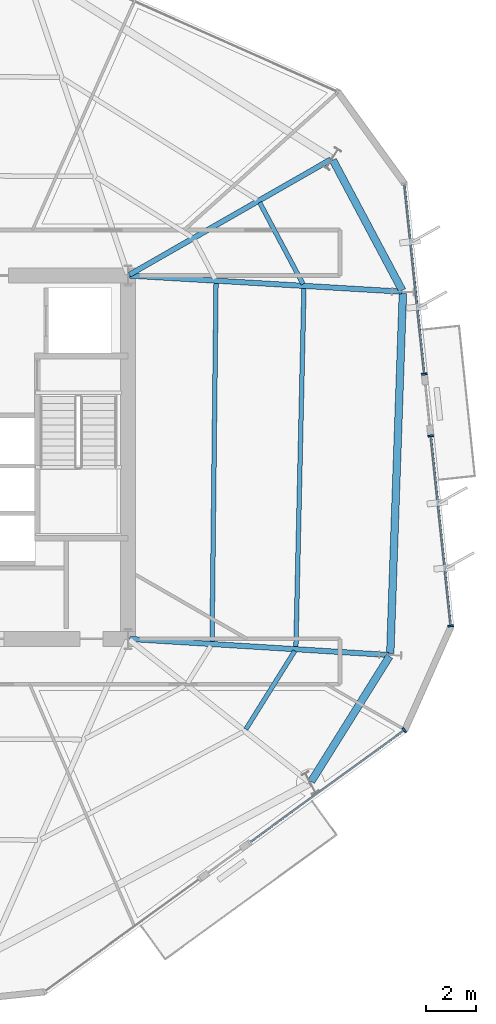
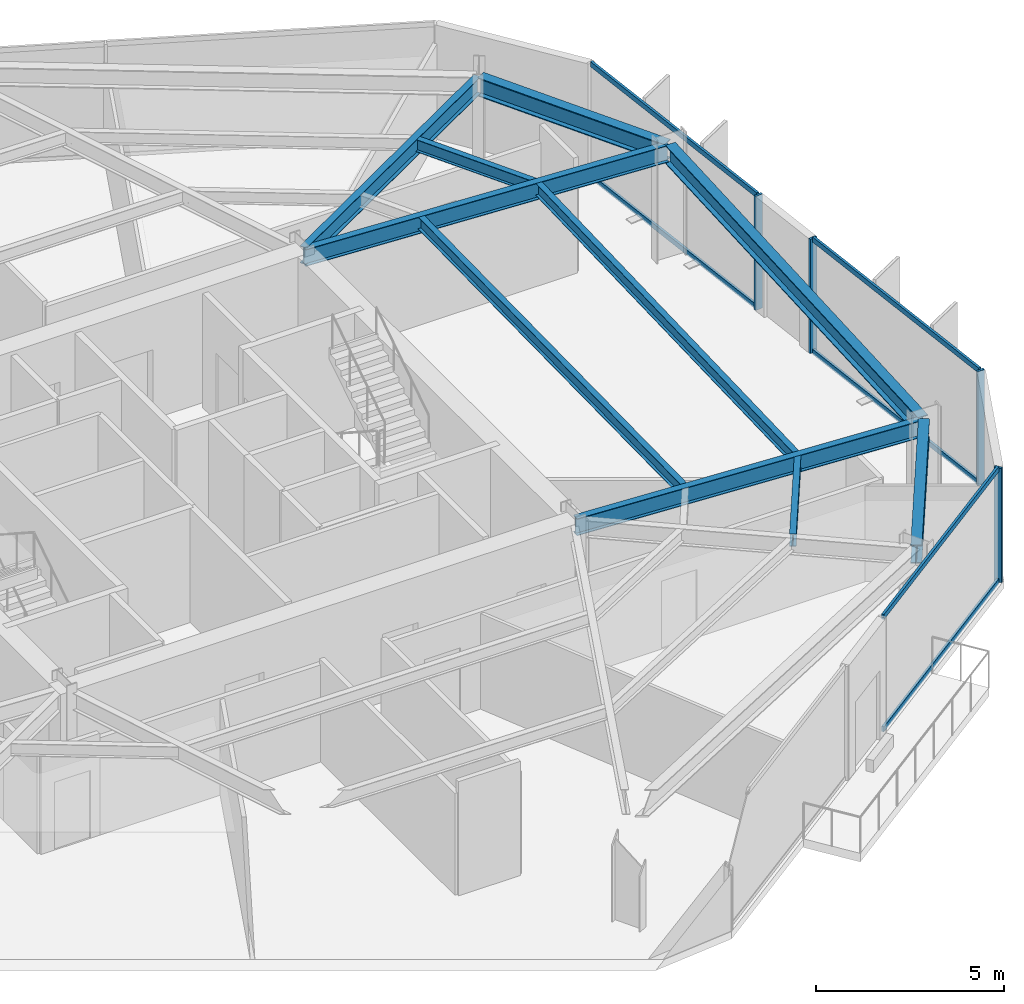
# One storey, part 4 of 12: 10 beams, 10 members, 3 elements without a shape of their own.
"""IFC4 building model written with IfcOpenShell, lengths in metres."""

from ifc_helpers import new_model, si_unit, direction, frame, origin, origin_2d, place, context, subcontext, project, spatial, rectangle, i_section, extrude, material, layer, layer_set, material_profile, profile_set, type_object, element, aggregate, save


model = new_model("IFC4")

# Units and contexts
model_context = context("Model", 3, precision=1e-05, world=origin(), true_north=direction((0.0, 1.0)))
body_context = subcontext(model_context, "Body", "Model", "MODEL_VIEW")
ifc_project = project(units=[si_unit("LENGTHUNIT", "METRE"), si_unit("AREAUNIT", "SQUARE_METRE"), si_unit("VOLUMEUNIT", "CUBIC_METRE"), si_unit("PLANEANGLEUNIT", "RADIAN"), si_unit("MASSUNIT", "GRAM", prefix="KILO")], contexts=[model_context])

# Site, building, storey
site_placement = place(None, origin())
site = spatial("IfcSite", under=ifc_project, at=site_placement, CompositionType="ELEMENT")
building_placement = place(site_placement, origin())
building = spatial("IfcBuilding", under=site, at=building_placement, Name="Kranzbogen Civic Tower", CompositionType="ELEMENT")
storey_placement = place(building_placement, frame((0.0, 0.0, 166.39990234375)))
storey = spatial("IfcBuildingStorey", under=building, at=storey_placement, Name="L40", CompositionType="ELEMENT", Elevation=166.39990234375)

# Curtain wall, member
ifc_material_1 = material(Name="Pale Anodised Aluminium", Category="aluminium")
ifc_layer = layer(ifc_material_1, 0.219970703125, Name="Pale Anodised Aluminium")
ifc_layer_set = layer_set([ifc_layer], Name="Pale Anodised Aluminium")
curtain_wall_type = type_object("IfcCurtainWallType", Name="Zone 2 Stick Curtain Wall System CW-03", PredefinedType="USERDEFINED", material=ifc_layer_set)
curtain_wall_1_placement = place(storey_placement, origin())
curtain_wall_1 = element("IfcCurtainWall", 1, at=curtain_wall_1_placement, inside=storey, type_object=curtain_wall_type, Name="L40 curtain wall CW-L40-F5-S2", ObjectType="STICK CURTAIN WALL", PredefinedType="USERDEFINED")
ifc_material_profile_1 = material_profile(ifc_material_1, rectangle(XDim=0.074951171875, YDim=0.219970703125, at=origin_2d()), Name="ALU-M 75x220")
ifc_profile_set_1 = profile_set([ifc_material_profile_1], Name="Pale Anodised Aluminium")
member_type_1 = type_object("IfcMemberType", Name="Curtain Wall Mullion ALU-M 75x220", PredefinedType="MULLION", material=ifc_profile_set_1)
member_1_placement = place(storey_placement, frame((43.74462890625, 14.179443359375, 0.0), z_axis=(0.0, 0.0, 1.0), x_axis=(0.808962592733, 0.587860122443, 0.0)))
member_1 = element("IfcMember", 2, at=member_1_placement, type_object=member_type_1, Name="CW-03 mullion 2", PredefinedType="MULLION", context=body_context, shape_type="SweptSolid", body=[
    extrude(rectangle(XDim=0.074951171875, YDim=0.219970703125, at=origin_2d()), origin(), (0.0, 0.0, 1.0), 3.7001953125),
])

# Curtain wall, members
curtain_wall_2_placement = place(storey_placement, origin())
curtain_wall_2 = element("IfcCurtainWall", 3, at=curtain_wall_2_placement, inside=storey, type_object=curtain_wall_type, Name="L40 curtain wall CW-L40-F6-S1", ObjectType="STICK CURTAIN WALL", PredefinedType="USERDEFINED")
member_2_placement = place(storey_placement, frame((45.583984375, 18.310791015625, 0.0), z_axis=(0.0, 0.0, 1.0), x_axis=(-0.104521149206, 0.99452266408, 0.0)))
member_2 = element("IfcMember", 4, at=member_2_placement, type_object=member_type_1, Name="CW-03 mullion 1", PredefinedType="MULLION", context=body_context, shape_type="SweptSolid", body=[
    extrude(rectangle(XDim=0.074951171875, YDim=0.219970703125, at=origin_2d()), origin(), (0.0, 0.0, 1.0), 3.7001953125),
])
member_3_placement = place(storey_placement, frame((44.792236328125, 25.84423828125, 0.0), z_axis=(0.0, 0.0, 1.0), x_axis=(-0.104521149206, 0.99452266408, 0.0)))
member_3 = element("IfcMember", 5, at=member_3_placement, type_object=member_type_1, Name="CW-03 mullion 2", PredefinedType="MULLION", context=body_context, shape_type="SweptSolid", body=[
    extrude(rectangle(XDim=0.074951171875, YDim=0.219970703125, at=origin_2d()), origin(), (0.0, 0.0, 1.0), 3.7001953125),
])

# Curtain wall, member
curtain_wall_3_placement = place(storey_placement, origin())
curtain_wall_3 = element("IfcCurtainWall", 6, at=curtain_wall_3_placement, inside=storey, type_object=curtain_wall_type, Name="L40 curtain wall CW-L40-F6-S2", ObjectType="STICK CURTAIN WALL", PredefinedType="USERDEFINED")
member_4_placement = place(storey_placement, frame((44.535888671875, 28.290771484375, 0.0), z_axis=(0.0, 0.0, 1.0), x_axis=(-0.104534766048, 0.994521232899, 0.0)))
member_4 = element("IfcMember", 7, at=member_4_placement, type_object=member_type_1, Name="CW-03 mullion 1", PredefinedType="MULLION", context=body_context, shape_type="SweptSolid", body=[
    extrude(rectangle(XDim=0.074951171875, YDim=0.219970703125, at=origin_2d()), origin(), (0.0, 0.0, 1.0), 3.7001953125),
])

# Member
ifc_material_profile_2 = material_profile(ifc_material_1, rectangle(XDim=0.074951171875, YDim=0.1650390625, at=origin_2d()), Name="ALU-T 75x165")
ifc_profile_set_2 = profile_set([ifc_material_profile_2], Name="Pale Anodised Aluminium")
member_type_2 = type_object("IfcMemberType", Name="Curtain Wall Transom ALU-T 75x165", PredefinedType="USERDEFINED", material=ifc_profile_set_2)
member_5_placement = place(storey_placement, frame((37.6416015625, 9.744384765625, 0.030029296875), z_axis=(0.808973460289, 0.587845167156, 0.0), x_axis=(-0.587845167156, 0.808973460289, 0.0)))
member_5 = element("IfcMember", 8, at=member_5_placement, type_object=member_type_2, Name="CW-03 transom 1.1", ObjectType="TRANSOM", PredefinedType="USERDEFINED", context=body_context, shape_type="SweptSolid", body=[
    extrude(rectangle(XDim=0.074951171875, YDim=0.1650390625, at=origin_2d()), origin(), (0.0, 0.0, 1.0), 7.514404296875),
])

member_6_placement = place(storey_placement, frame((37.6416015625, 9.744384765625, 3.670166015625), z_axis=(0.808973460289, 0.587845167156, 0.0), x_axis=(-0.587845167156, 0.808973460289, 0.0)))
member_6 = element("IfcMember", 9, at=member_6_placement, type_object=member_type_2, Name="CW-03 transom 1.2", ObjectType="TRANSOM", PredefinedType="USERDEFINED", context=body_context, shape_type="SweptSolid", body=[
    extrude(rectangle(XDim=0.074951171875, YDim=0.1650390625, at=origin_2d()), origin(), (0.0, 0.0, 1.0), 7.514404296875),
])

aggregate(curtain_wall_1, [member_1, member_5, member_6])

member_7_placement = place(storey_placement, frame((45.580810546875, 18.340576171875, 0.030029296875), z_axis=(-0.10454610906, 0.994520040563, 0.0), x_axis=(-0.994520040563, -0.10454610906, 0.0)))
member_7 = element("IfcMember", 10, at=member_7_placement, type_object=member_type_2, Name="CW-03 transom 1.1", ObjectType="TRANSOM", PredefinedType="USERDEFINED", context=body_context, shape_type="SweptSolid", body=[
    extrude(rectangle(XDim=0.074951171875, YDim=0.1650390625, at=origin_2d()), origin(), (0.0, 0.0, 1.0), 7.514892578125),
])

member_8_placement = place(storey_placement, frame((45.580810546875, 18.340576171875, 3.670166015625), z_axis=(-0.10454610906, 0.994520040563, 0.0), x_axis=(-0.994520040563, -0.10454610906, 0.0)))
member_8 = element("IfcMember", 11, at=member_8_placement, type_object=member_type_2, Name="CW-03 transom 1.2", ObjectType="TRANSOM", PredefinedType="USERDEFINED", context=body_context, shape_type="SweptSolid", body=[
    extrude(rectangle(XDim=0.074951171875, YDim=0.1650390625, at=origin_2d()), origin(), (0.0, 0.0, 1.0), 7.514892578125),
])

aggregate(curtain_wall_2, [member_2, member_3, member_7, member_8])

member_9_placement = place(storey_placement, frame((44.53271484375, 28.320556640625, 0.030029296875), z_axis=(-0.104527485236, 0.994521998163, 0.0), x_axis=(-0.994521998163, -0.104527485236, 0.0)))
member_9 = element("IfcMember", 12, at=member_9_placement, type_object=member_type_2, Name="CW-03 transom 1.1", ObjectType="TRANSOM", PredefinedType="USERDEFINED", context=body_context, shape_type="SweptSolid", body=[
    extrude(rectangle(XDim=0.074951171875, YDim=0.1650390625, at=origin_2d()), origin(), (0.0, 0.0, 1.0), 7.513916015625),
])

member_10_placement = place(storey_placement, frame((44.53271484375, 28.320556640625, 3.670166015625), z_axis=(-0.104527485236, 0.994521998163, 0.0), x_axis=(-0.994521998163, -0.104527485236, 0.0)))
member_10 = element("IfcMember", 13, at=member_10_placement, type_object=member_type_2, Name="CW-03 transom 1.2", ObjectType="TRANSOM", PredefinedType="USERDEFINED", context=body_context, shape_type="SweptSolid", body=[
    extrude(rectangle(XDim=0.074951171875, YDim=0.1650390625, at=origin_2d()), origin(), (0.0, 0.0, 1.0), 7.513916015625),
])

aggregate(curtain_wall_3, [member_4, member_9, member_10])

# Beams
ifc_material_2 = material(Name="Steel S355", Category="steel")
ifc_material_profile_3 = material_profile(ifc_material_2, i_section(OverallWidth=0.300048828125, OverallDepth=0.60009765625, WebThickness=0.015380859375, FlangeThickness=0.030029296875, at=origin_2d()), Name="HEB 600")
ifc_profile_set_3 = profile_set([ifc_material_profile_3], Name="Steel S355")
beam_type_1 = type_object("IfcBeamType", Name="Perimeter Tube Spandrel Beam HEB 600", PredefinedType="SPANDREL", material=ifc_profile_set_3)
beam_1_placement = place(storey_placement, frame((40.054931640625, 12.14306640625, 3.400146484375), z_axis=(0.529863902903, 0.848082687242, 0.0), x_axis=(-0.848082687242, 0.529863902903, 0.0)))
element("IfcBeam", 14, at=beam_1_placement, inside=storey, type_object=beam_type_1, Name="L40 perimeter spandrel beam 05", PredefinedType="SPANDREL", context=body_context, shape_type="SweptSolid", body=[
    extrude(i_section(OverallWidth=0.300048828125, OverallDepth=0.60009765625, WebThickness=0.015380859375, FlangeThickness=0.030029296875, at=origin_2d()), origin(), (0.0, 0.0, 1.0), 5.850830078125),
])
beam_2_placement = place(storey_placement, frame((43.18896484375, 17.216064453125, 3.400146484375), z_axis=(0.034924229103, 0.999389963038, 0.0), x_axis=(-0.999389963038, 0.034924229103, 0.0)))
element("IfcBeam", 15, at=beam_2_placement, inside=storey, type_object=beam_type_1, Name="L40 perimeter spandrel beam 06", PredefinedType="SPANDREL", context=body_context, shape_type="SweptSolid", body=[
    extrude(i_section(OverallWidth=0.300048828125, OverallDepth=0.60009765625, WebThickness=0.015380859375, FlangeThickness=0.030029296875, at=origin_2d()), origin(), (0.0, 0.0, 1.0), 14.288818359375),
])
beam_3_placement = place(storey_placement, frame((43.662109375, 31.60888671875, 3.400146484375), z_axis=(-0.469565926668, 0.882897412224, 0.0), x_axis=(-0.882897412224, -0.469565926668, 0.0)))
element("IfcBeam", 16, at=beam_3_placement, inside=storey, type_object=beam_type_1, Name="L40 perimeter spandrel beam 07", PredefinedType="SPANDREL", context=body_context, shape_type="SweptSolid", body=[
    extrude(i_section(OverallWidth=0.300048828125, OverallDepth=0.60009765625, WebThickness=0.015380859375, FlangeThickness=0.030029296875, at=origin_2d()), origin(), (0.0, 0.0, 1.0), 5.852294921875),
])
ifc_material_profile_4 = material_profile(ifc_material_2, i_section(OverallWidth=0.2099609375, OverallDepth=0.550048828125, WebThickness=0.010986328125, FlangeThickness=0.01708984375, at=origin_2d()), Name="IPE 550")
ifc_profile_set_4 = profile_set([ifc_material_profile_4], Name="Steel S355")
beam_type_2 = type_object("IfcBeamType", Name="Radial Tower Floor Girder IPE 550", PredefinedType="BEAM", material=ifc_profile_set_4)
beam_4_placement = place(storey_placement, frame((43.126953125, 17.159912109375, 3.425048828125), z_axis=(-0.998086872961, 0.061827130147, 0.0), x_axis=(-0.061827130147, -0.998086872961, 0.0)))
element("IfcBeam", 17, at=beam_4_placement, inside=storey, type_object=beam_type_2, Name="L40 radial floor girder 06", PredefinedType="BEAM", context=body_context, shape_type="SweptSolid", body=[
    extrude(i_section(OverallWidth=0.2099609375, OverallDepth=0.550048828125, WebThickness=0.010986328125, FlangeThickness=0.01708984375, at=origin_2d()), origin(), (0.0, 0.0, 1.0), 10.28662109375),
])
beam_5_placement = place(storey_placement, frame((43.6298828125, 31.56005859375, 3.425048828125), z_axis=(-0.998260925387, 0.058950189528, 0.0), x_axis=(-0.058950189528, -0.998260925387, 0.0)))
element("IfcBeam", 18, at=beam_5_placement, inside=storey, type_object=beam_type_2, Name="L40 radial floor girder 07", PredefinedType="BEAM", context=body_context, shape_type="SweptSolid", body=[
    extrude(i_section(OverallWidth=0.2099609375, OverallDepth=0.550048828125, WebThickness=0.010986328125, FlangeThickness=0.01708984375, at=origin_2d()), origin(), (0.0, 0.0, 1.0), 10.78857421875),
])
beam_6_placement = place(storey_placement, frame((40.833984375, 36.799072265625, 3.425048828125), z_axis=(-0.867868812182, -0.496793442833, 0.0), x_axis=(0.496793442833, -0.867868812182, 0.0)))
element("IfcBeam", 19, at=beam_6_placement, inside=storey, type_object=beam_type_2, Name="L40 radial floor girder 08", PredefinedType="BEAM", context=body_context, shape_type="SweptSolid", body=[
    extrude(i_section(OverallWidth=0.2099609375, OverallDepth=0.550048828125, WebThickness=0.010986328125, FlangeThickness=0.01708984375, at=origin_2d()), origin(), (0.0, 0.0, 1.0), 9.197265625),
])
ifc_material_profile_5 = material_profile(ifc_material_2, i_section(OverallWidth=0.179931640625, OverallDepth=0.39990234375, WebThickness=0.008544921875, FlangeThickness=0.013427734375, at=origin_2d()), Name="IPE 400")
ifc_profile_set_5 = profile_set([ifc_material_profile_5], Name="Steel S355")
beam_type_3 = type_object("IfcBeamType", Name="Secondary Composite Floor Joist IPE 400", PredefinedType="JOIST", material=ifc_profile_set_5)
beam_7_placement = place(storey_placement, frame((37.465087890625, 14.215087890625, 3.5), z_axis=(0.529867065107, 0.848080711557, 0.0), x_axis=(-0.848080711557, 0.529867065107, 0.0)))
element("IfcBeam", 20, at=beam_7_placement, inside=storey, type_object=beam_type_3, Name="L40 secondary floor joist 1.05", PredefinedType="JOIST", context=body_context, shape_type="SweptSolid", body=[
    extrude(i_section(OverallWidth=0.179931640625, OverallDepth=0.39990234375, WebThickness=0.008544921875, FlangeThickness=0.013427734375, at=origin_2d()), origin(), (0.0, 0.0, 1.0), 3.6611328125),
])
beam_8_placement = place(storey_placement, frame((39.448974609375, 17.468017578125, 3.5), z_axis=(0.022402523442, 0.999749031979, 0.0), x_axis=(-0.999749031979, 0.022402523442, 0.0)))
element("IfcBeam", 21, at=beam_8_placement, inside=storey, type_object=beam_type_3, Name="L40 secondary floor joist 1.06", PredefinedType="JOIST", context=body_context, shape_type="SweptSolid", body=[
    extrude(i_section(OverallWidth=0.179931640625, OverallDepth=0.39990234375, WebThickness=0.008544921875, FlangeThickness=0.013427734375, at=origin_2d()), origin(), (0.0, 0.0, 1.0), 14.24365234375),
])
beam_9_placement = place(storey_placement, frame((36.125, 17.674072265625, 3.5), z_axis=(0.011160516663, 0.999937719494, 0.0), x_axis=(-0.999937719494, 0.011160516663, 0.0)))
element("IfcBeam", 22, at=beam_9_placement, inside=storey, type_object=beam_type_3, Name="L40 secondary floor joist 2.06", PredefinedType="JOIST", context=body_context, shape_type="SweptSolid", body=[
    extrude(i_section(OverallWidth=0.179931640625, OverallDepth=0.39990234375, WebThickness=0.008544921875, FlangeThickness=0.013427734375, at=origin_2d()), origin(), (0.0, 0.0, 1.0), 14.240966796875),
])
beam_10_placement = place(storey_placement, frame((39.73193359375, 31.85791015625, 3.5), z_axis=(-0.469338791783, 0.88301817565, 0.0), x_axis=(-0.88301817565, -0.469338791783, 0.0)))
element("IfcBeam", 23, at=beam_10_placement, inside=storey, type_object=beam_type_3, Name="L40 secondary floor joist 1.07", PredefinedType="JOIST", context=body_context, shape_type="SweptSolid", body=[
    extrude(i_section(OverallWidth=0.179931640625, OverallDepth=0.39990234375, WebThickness=0.008544921875, FlangeThickness=0.013427734375, at=origin_2d()), origin(), (0.0, 0.0, 1.0), 3.66259765625),
])

save(model, "model.ifc")
